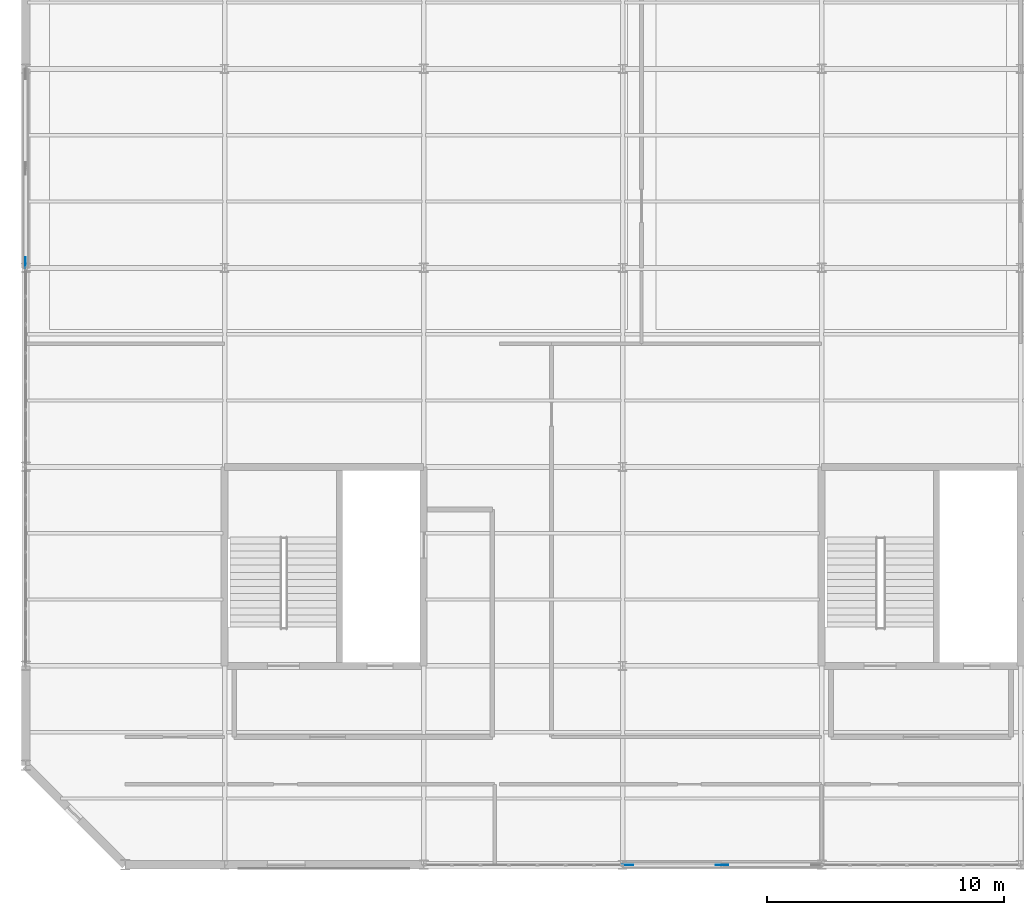
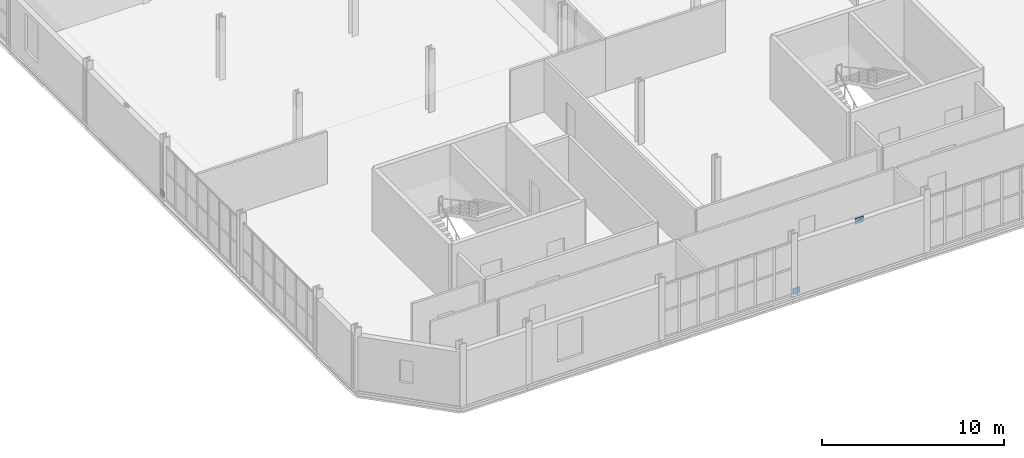
# One storey, part 139 of 163: 3 discrete accessories.
"""IFC4 building model written with IfcOpenShell, lengths in metres."""

from ifc_helpers import new_model, si_unit, direction, frame, origin, origin_2d, place, context, subcontext, project, spatial, rectangle, extrude, material, type_object, element, save


model = new_model("IFC4")

# Units and contexts
model_context = context("Model", 3, precision=1e-05, world=origin(), true_north=direction((0.0, 1.0)))
body_context = subcontext(model_context, "Body", "Model", "MODEL_VIEW")
ifc_project = project(units=[si_unit("LENGTHUNIT", "METRE"), si_unit("AREAUNIT", "SQUARE_METRE"), si_unit("VOLUMEUNIT", "CUBIC_METRE"), si_unit("PLANEANGLEUNIT", "RADIAN"), si_unit("MASSUNIT", "GRAM", prefix="KILO")], contexts=[model_context])

# Site, building, storey
site_placement = place(None, origin())
site = spatial("IfcSite", under=ifc_project, at=site_placement, CompositionType="ELEMENT")
building_placement = place(site_placement, origin())
building = spatial("IfcBuilding", under=site, at=building_placement, Name="Qalvenar Corner Mobility Hub", CompositionType="ELEMENT")
storey_placement = place(building_placement, frame((0.0, 0.0, 4.800048828125)))
storey = spatial("IfcBuildingStorey", under=building, at=storey_placement, Name="L01", CompositionType="ELEMENT", Elevation=4.800048828125)

# Discrete accessories
ifc_material = material(Name="Steel S355", Category="steel")
discrete_accessory_type = type_object("IfcDiscreteAccessoryType", Name="ACC-GUSSET-PLT", PredefinedType="BRACKET", material=ifc_material)
discrete_accessory_placement = place(storey_placement, frame((29.39990234375, 0.0, 3.330078125), z_axis=(0.0, 0.0, 1.0), x_axis=(1.0, 0.0, 0.0)))
element("IfcDiscreteAccessory", 1, at=discrete_accessory_placement, inside=storey, type_object=discrete_accessory_type, Name="Chevron Apex Gusset Plate GP-A-004", PredefinedType="BRACKET", context=body_context, shape_type="SweptSolid", body=[
    extrude(rectangle(XDim=0.52001953125, YDim=0.02490234375, at=origin_2d()), origin(), (0.0, 0.0, 1.0), 0.3798828125),
])
for number, where, z_axis, x_axis, name in (
    (2, (25.419921875, 0.0, 0.0), (0.0, 0.0, 1.0), (1.0, 0.0, 0.0), "Brace Base Gusset Plate GP-B-005"),
    (3, (0.0, 25.419921875, 0.0), (0.0, 0.0, 1.0), (0.0, 1.0, 0.0), "Brace Base Gusset Plate GP-B-020"),
):
    element("IfcDiscreteAccessory", number, at=place(storey_placement, frame(where, z_axis=z_axis, x_axis=x_axis)), inside=storey, type_object=discrete_accessory_type, Name=name, PredefinedType="BRACKET", context=body_context, shape_type="SweptSolid", body=[
        extrude(rectangle(XDim=0.449951171875, YDim=0.02490234375, at=origin_2d()), origin(), (0.0, 0.0, 1.0), 0.39990234375),
    ])

save(model, "model.ifc")
